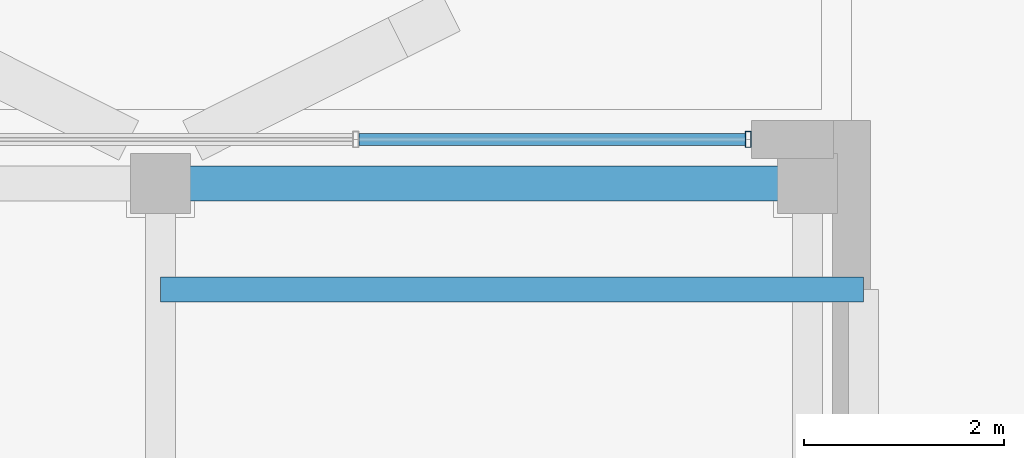
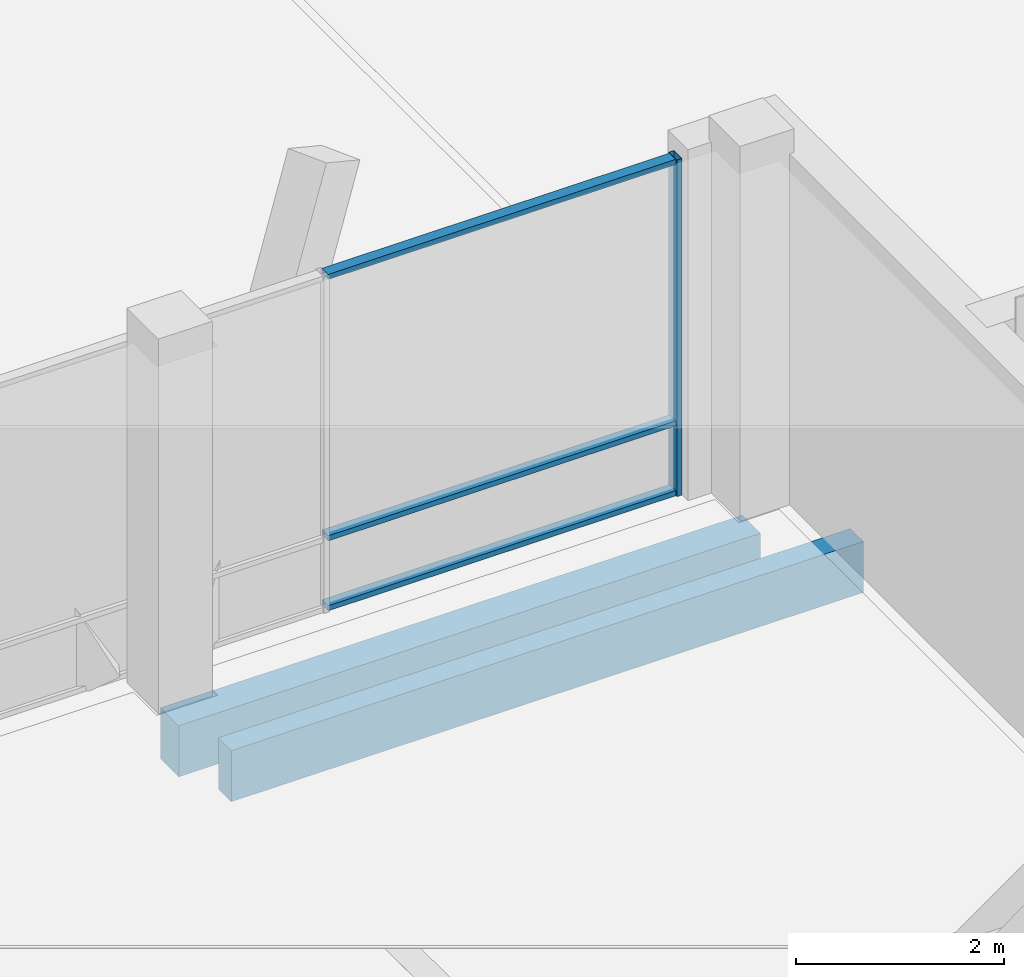
# One storey, part 44 of 233: 4 members, 2 beams, 1 element without a shape of its own.
"""IFC4 building model written with IfcOpenShell, lengths in metres."""

from ifc_helpers import new_model, si_unit, direction, frame, origin, origin_2d, place, context, subcontext, project, spatial, rectangle, hollow_rectangle, extrude, material, material_profile, profile_set, type_object, element, aggregate, save


model = new_model("IFC4")

# Units and contexts
model_context = context("Model", 3, precision=1e-05, world=origin(), true_north=direction((0.0, 1.0)))
body_context = subcontext(model_context, "Body", "Model", "MODEL_VIEW")
ifc_project = project(units=[si_unit("LENGTHUNIT", "METRE"), si_unit("AREAUNIT", "SQUARE_METRE"), si_unit("VOLUMEUNIT", "CUBIC_METRE"), si_unit("PLANEANGLEUNIT", "RADIAN"), si_unit("MASSUNIT", "GRAM", prefix="KILO")], contexts=[model_context])

# Site, building, storey
site_placement = place(None, origin())
site = spatial("IfcSite", under=ifc_project, at=site_placement, CompositionType="ELEMENT")
building_placement = place(site_placement, origin())
building = spatial("IfcBuilding", under=site, at=building_placement, Name="Zavelmont Quarter", CompositionType="ELEMENT")
storey_placement = place(building_placement, origin())
storey = spatial("IfcBuildingStorey", under=building, at=storey_placement, Name="L00", CompositionType="ELEMENT", Elevation=0.0)

# Beams
ifc_material_1 = material(Name="Concrete C35/45", Category="concrete")
ifc_material_profile_1 = material_profile(ifc_material_1, rectangle(XDim=0.35009765625, YDim=0.60009765625, at=origin_2d()), Name="RC350X600")
ifc_profile_set_1 = profile_set([ifc_material_profile_1], Name="Concrete C35/45")
beam_type_1 = type_object("IfcBeamType", Name="BM01", PredefinedType="SPANDREL", material=ifc_profile_set_1)
beam_1_placement = place(storey_placement, frame((48.300048828125, 17.9599609375, -0.6201171875), z_axis=(1.0, 0.0, 0.0), x_axis=(0.0, 1.0, 0.0)))
element("IfcBeam", 1, at=beam_1_placement, inside=storey, type_object=beam_type_1, Name="L00 beam BM01 8/D to 9/D", PredefinedType="SPANDREL", context=body_context, shape_type="SweptSolid", body=[
    extrude(rectangle(XDim=0.35009765625, YDim=0.60009765625, at=origin_2d()), origin(), (0.0, 0.0, 1.0), 6.4599609375),
])
ifc_material_2 = material(Name="Concrete C40/50", Category="concrete")
ifc_material_profile_2 = material_profile(ifc_material_2, rectangle(XDim=0.25, YDim=0.60009765625, at=origin_2d()), Name="RC250X600")
ifc_profile_set_2 = profile_set([ifc_material_profile_2], Name="Concrete C40/50")
beam_type_2 = type_object("IfcBeamType", Name="BM18", PredefinedType="BEAM", material=ifc_profile_set_2)
beam_2_placement = place(storey_placement, frame((48.300048828125, 16.89990234375, -0.300048828125), z_axis=(1.0, 0.0, 0.0), x_axis=(0.0, 1.0, 0.0)))
element("IfcBeam", 2, at=beam_2_placement, inside=storey, type_object=beam_type_2, Name="L00 beam BM18 8/D to 9/D", PredefinedType="BEAM", context=body_context, shape_type="SweptSolid", body=[
    extrude(rectangle(XDim=0.25, YDim=0.60009765625, at=origin_2d()), origin(), (0.0, 0.0, 1.0), 7.02001953125),
])

# Curtain wall, members
ifc_material_3 = material(Name="Thermally broken aluminium and double low-E safety glazing", Category="aluminium")
curtain_wall_type = type_object("IfcCurtainWallType", Name="CW-1185X395", PredefinedType="NOTDEFINED", material=ifc_material_3)
curtain_wall_placement = place(storey_placement, origin())
curtain_wall = element("IfcCurtainWall", 3, at=curtain_wall_placement, inside=storey, type_object=curtain_wall_type, Name="L00 unitised curtain wall CW-1185X395", PredefinedType="NOTDEFINED")
ifc_material_4 = material(Name="Powder-coated aluminium EN AW-6063-T6", Category="aluminium")
ifc_material_profile_3 = material_profile(ifc_material_4, hollow_rectangle(XDim=0.06005859375, YDim=0.159912109375, WallThickness=0.00390625, at=origin_2d()), Name="CWM60X160")
ifc_profile_set_3 = profile_set([ifc_material_profile_3], Name="Powder-coated aluminium EN AW-6063-T6")
member_type_1 = type_object("IfcMemberType", Name="CWM01", PredefinedType="MULLION", material=ifc_profile_set_3)
member_1_placement = place(storey_placement, frame((54.169921875, 18.39990234375, 0.0), z_axis=(0.0, 0.0, 1.0), x_axis=(1.0, 0.0, 0.0)))
member_1 = element("IfcMember", 4, at=member_1_placement, type_object=member_type_1, Name="CW-1185X395 mullion 4", PredefinedType="MULLION", context=body_context, shape_type="SweptSolid", body=[
    extrude(hollow_rectangle(XDim=0.06005859375, YDim=0.159912109375, WallThickness=0.00390625, at=origin_2d()), origin(), (0.0, 0.0, 1.0), 3.949951171875),
])
ifc_material_profile_4 = material_profile(ifc_material_4, hollow_rectangle(XDim=0.1201171875, YDim=0.06005859375, WallThickness=0.00390625, at=origin_2d()), Name="CWT60X120")
ifc_profile_set_4 = profile_set([ifc_material_profile_4], Name="Powder-coated aluminium EN AW-6063-T6")
member_type_2 = type_object("IfcMemberType", Name="CWT01", PredefinedType="NOTDEFINED", material=ifc_profile_set_4)
member_2_placement = place(storey_placement, frame((50.280029296875, 18.39990234375, 0.030029296875), z_axis=(1.0, 0.0, 0.0), x_axis=(0.0, 1.0, 0.0)))
member_2 = element("IfcMember", 5, at=member_2_placement, type_object=member_type_2, Name="CW-1185X395 transom 3.1", ObjectType="TRANSOM", PredefinedType="USERDEFINED", context=body_context, shape_type="SweptSolid", body=[
    extrude(hollow_rectangle(XDim=0.1201171875, YDim=0.06005859375, WallThickness=0.00390625, at=origin_2d()), origin(), (0.0, 0.0, 1.0), 3.85986328125),
])
member_3_placement = place(storey_placement, frame((50.280029296875, 18.39990234375, 0.85009765625), z_axis=(1.0, 0.0, 0.0), x_axis=(0.0, 1.0, 0.0)))
member_3 = element("IfcMember", 6, at=member_3_placement, type_object=member_type_2, Name="CW-1185X395 transom 3.2", ObjectType="TRANSOM", PredefinedType="USERDEFINED", context=body_context, shape_type="SweptSolid", body=[
    extrude(hollow_rectangle(XDim=0.1201171875, YDim=0.06005859375, WallThickness=0.00390625, at=origin_2d()), origin(), (0.0, 0.0, 1.0), 3.85986328125),
])
member_4_placement = place(storey_placement, frame((50.280029296875, 18.39990234375, 3.919921875), z_axis=(1.0, 0.0, 0.0), x_axis=(0.0, 1.0, 0.0)))
member_4 = element("IfcMember", 7, at=member_4_placement, type_object=member_type_2, Name="CW-1185X395 transom 3.3", ObjectType="TRANSOM", PredefinedType="USERDEFINED", context=body_context, shape_type="SweptSolid", body=[
    extrude(hollow_rectangle(XDim=0.1201171875, YDim=0.06005859375, WallThickness=0.00390625, at=origin_2d()), origin(), (0.0, 0.0, 1.0), 3.85986328125),
])
aggregate(curtain_wall, [member_1, member_2, member_3, member_4])

save(model, "model.ifc")
